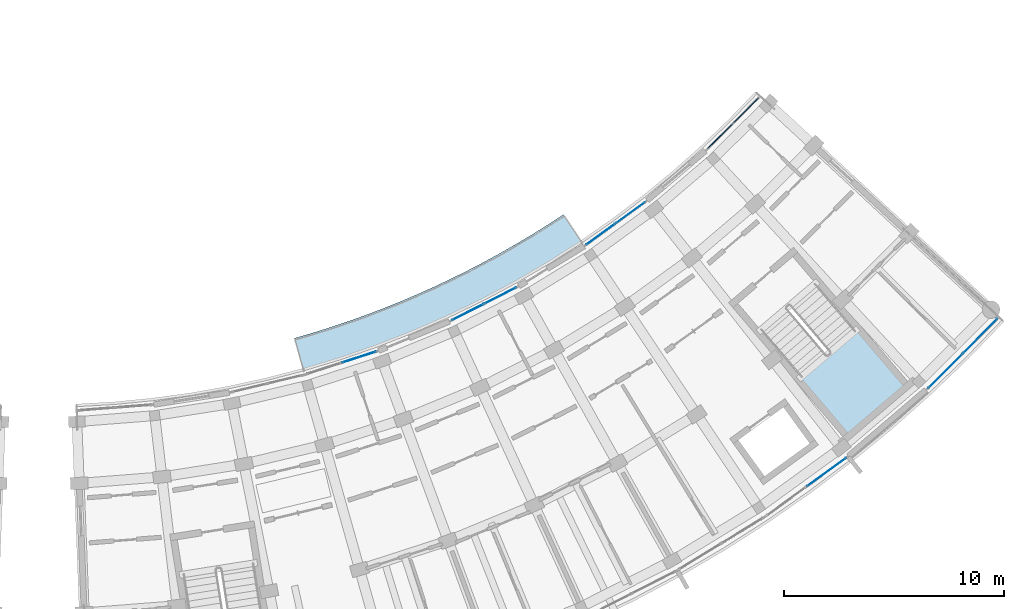
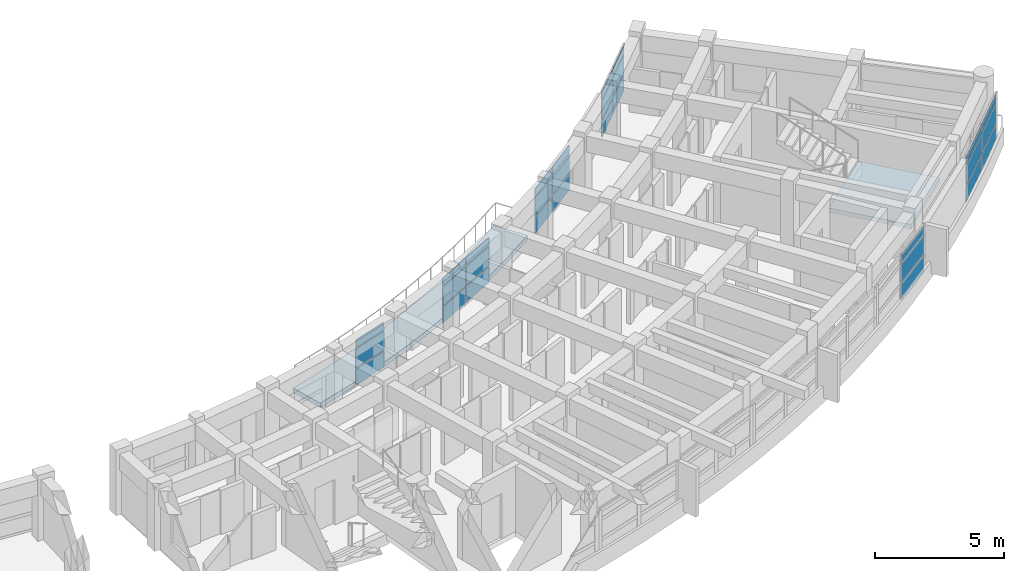
# One storey, part 26 of 56: 30 plates, 2 slabs, 7 elements without a shape of their own.
"""IFC4 building model written with IfcOpenShell, lengths in metres."""

import ifcopenshell
import ifcopenshell.guid

model = None  # the IFC model being written
_history = None  # IfcOwnerHistory: only IFC2X3 demands one
_inside = {}  # id of a spatial element -> (the spatial element, [elements in it])
_under = {}  # id of a project, library or spatial element -> (it, [spatial elements below it])
_declared = {}  # id of a project -> (the project, [libraries it declares])
_typed = {}  # id of a type object -> (the type object, [elements of that type])
_made_of = {}  # id of a material, layer set ... -> (it, [elements and type objects made of it])


def new_model(schema):
    """Start an empty IFC model of exactly this schema.

    Asked for "IFC4X3", IfcOpenShell would pick the latest addendum, in which some entities
    have other attributes; the version numbers below select the first issue.
    IFC2X3 requires an IfcOwnerHistory on every rooted entity: one is made here for all.
    """
    global model, _history
    if schema == "IFC4X3":
        model = ifcopenshell.file(schema_version=(4, 3, 0, 0))
    else:
        model = ifcopenshell.file(schema=schema)
    _inside.clear()
    _under.clear()
    _declared.clear()
    _typed.clear()
    _made_of.clear()
    _history = None
    if model.schema == "IFC2X3":
        org = make("IfcOrganization", Name="unknown")
        user = make(
            "IfcPersonAndOrganization",
            ThePerson=make("IfcPerson", FamilyName="unknown"),
            TheOrganization=org,
        )
        app = make(
            "IfcApplication",
            ApplicationDeveloper=org,
            Version="unknown",
            ApplicationFullName="unknown",
            ApplicationIdentifier="unknown",
        )
        _history = make(
            "IfcOwnerHistory",
            OwningUser=user,
            OwningApplication=app,
            ChangeAction="ADDED",
            CreationDate=0,
        )
    return model


def make(cls, **values):
    """One entity of the class cls with the attributes given. An attribute that is None is left unset."""
    return model.create_entity(
        cls, **{name: value for name, value in values.items() if value is not None}
    )


def rooted(cls, **values):
    """An entity with a GlobalId (a new one), such as an element, a storey or a relation."""
    return make(cls, GlobalId=ifcopenshell.guid.new(), OwnerHistory=_history, **values)


def si_unit(unit_type, name, prefix=None):
    """IfcSIUnit, for example si_unit("LENGTHUNIT", "METRE", prefix="MILLI")."""
    return make("IfcSIUnit", UnitType=unit_type, Prefix=prefix, Name=name)


def assignment(units):
    """IfcUnitAssignment: the units of a project."""
    return None if units is None else make("IfcUnitAssignment", Units=units)


def point(xyz):
    """IfcCartesianPoint."""
    return None if xyz is None else make("IfcCartesianPoint", Coordinates=xyz)


def direction(xyz):
    """IfcDirection."""
    return None if xyz is None else make("IfcDirection", DirectionRatios=xyz)


def frame(location, z_axis=None, x_axis=None):
    """IfcAxis2Placement3D, a coordinate frame: its origin and axes. An axis left out is left unset."""
    return make(
        "IfcAxis2Placement3D",
        Location=point(location),
        Axis=direction(z_axis),
        RefDirection=direction(x_axis),
    )


def frame_2d(location, x_axis=None):
    """IfcAxis2Placement2D, a coordinate frame in the plane: its origin and x axis."""
    return make(
        "IfcAxis2Placement2D", Location=point(location), RefDirection=direction(x_axis)
    )


def origin():
    """The frame at (0, 0, 0) with its axes left unset."""
    return frame((0.0, 0.0, 0.0))


def origin_2d():
    """The frame at (0, 0) in the plane with its x axis left unset."""
    return frame_2d((0.0, 0.0))


def place(relative_to, where):
    """IfcLocalPlacement: puts the frame where relative to a parent placement (None: the world)."""
    return make(
        "IfcLocalPlacement", PlacementRelTo=relative_to, RelativePlacement=where
    )


def context(
    kind, dimensions, precision=None, world=None, true_north=None, identifier=None
):
    """IfcGeometricRepresentationContext, for example the 3D "Model" context."""
    return make(
        "IfcGeometricRepresentationContext",
        ContextIdentifier=identifier,
        ContextType=kind,
        CoordinateSpaceDimension=dimensions,
        Precision=precision,
        WorldCoordinateSystem=world,
        TrueNorth=true_north,
    )


def subcontext(parent, identifier, kind, view, scale=None):
    """IfcGeometricRepresentationSubContext, for example "Body" below "Model"."""
    return make(
        "IfcGeometricRepresentationSubContext",
        ContextIdentifier=identifier,
        ContextType=kind,
        ParentContext=parent,
        TargetScale=scale,
        TargetView=view,
    )


def project(units=None, contexts=None):
    """IfcProject with its units and contexts."""
    return rooted(
        "IfcProject",
        Name="project",
        RepresentationContexts=contexts,
        UnitsInContext=assignment(units),
    )


def spatial(cls, under=None, at=None, **own):
    """A site, building, storey or space (cls), placed at a placement, below another one or the project."""
    s = rooted(cls, ObjectPlacement=at, **own)
    if under is not None:
        _under.setdefault(under.id(), (under, []))[1].append(s)
    return s


def polyline(points):
    """IfcPolyline through the points."""
    return make("IfcPolyline", Points=[point(p) for p in points])


def profile(cls, at=None, kind="AREA", **sizes):
    """A parametric profile (cls). Its sizes go by their IFC names, for example OverallWidth=200.0."""
    return make(cls, ProfileType=kind, Position=at, **sizes)


def rectangle(**sizes):
    """IfcRectangleProfileDef."""
    return profile("IfcRectangleProfileDef", **sizes)


def outline(outer, holes=None, kind="AREA"):
    """IfcArbitraryClosedProfileDef: a profile drawn as a closed curve; with holes, ...WithVoids."""
    if holes is None:
        return make("IfcArbitraryClosedProfileDef", ProfileType=kind, OuterCurve=outer)
    return make(
        "IfcArbitraryProfileDefWithVoids",
        ProfileType=kind,
        OuterCurve=outer,
        InnerCurves=holes,
    )


def extrude(swept, where, along, depth):
    """IfcExtrudedAreaSolid: the profile swept, set in the frame where, extruded along a direction by depth."""
    return make(
        "IfcExtrudedAreaSolid",
        SweptArea=swept,
        Position=where,
        ExtrudedDirection=direction(along),
        Depth=depth,
    )


def shape(context_of_items, identifier, shape_type, items):
    """IfcShapeRepresentation: the items that make up one representation, for example the "Body"."""
    return make(
        "IfcShapeRepresentation",
        ContextOfItems=context_of_items,
        RepresentationIdentifier=identifier,
        RepresentationType=shape_type,
        Items=items,
    )


def material(Name=None, Category=None):
    """IfcMaterial."""
    return make("IfcMaterial", Name=Name, Category=Category)


def layer(
    of_material, thickness, ventilated=None, Name=None, Category=None, Priority=None
):
    """IfcMaterialLayer: one layer of a wall or slab, of a material (None: an air gap)."""
    return make(
        "IfcMaterialLayer",
        Material=of_material,
        LayerThickness=thickness,
        IsVentilated=ventilated,
        Name=Name,
        Category=Category,
        Priority=Priority,
    )


def layer_set(layers, Name=None):
    """IfcMaterialLayerSet."""
    return make("IfcMaterialLayerSet", MaterialLayers=layers, LayerSetName=Name)


def made_of(thing, what):
    """Note that an element or type object is made of a material, layer set ...; save() writes the relation."""
    if what is not None:
        _made_of.setdefault(what.id(), (what, []))[1].append(thing)
    return thing


def type_object(cls, material=None, **own):
    """A type object (cls), such as IfcWallType, which elements share."""
    return made_of(rooted(cls, **own), material)


def element(
    cls,
    number,
    at=None,
    inside=None,
    cuts=None,
    type_object=None,
    material=None,
    context=None,
    identifier="Body",
    shape_type=None,
    held_by="IfcProductDefinitionShape",
    body=None,
    shapes=None,
    **own,
):
    """One element of the class cls, such as IfcWall. Its Tag is "e" and its number.

    at: its placement. inside: the storey or other place that contains it. cuts: it is an
    opening in that element (IfcRelVoidsElement). A single representation is given by context,
    identifier, shape_type and body (its items); several are given by shapes. held_by: the class
    of the entity that holds the representations. save() writes the other relations.
    """
    e = rooted(cls, Tag="e%d" % number, ObjectPlacement=at, **own)
    if body is not None:
        shapes = [shape(context, identifier, shape_type, body)]
    if shapes is not None:
        e.Representation = make(held_by, Representations=shapes)
    if inside is not None:
        _inside.setdefault(inside.id(), (inside, []))[1].append(e)
    if cuts is not None:
        rooted(
            "IfcRelVoidsElement", RelatingBuildingElement=cuts, RelatedOpeningElement=e
        )
    if type_object is not None:
        _typed.setdefault(type_object.id(), (type_object, []))[1].append(e)
    return made_of(e, material)


def aggregate(whole, parts):
    """IfcRelAggregates: a whole, such as a stair, and the parts it consists of."""
    return rooted("IfcRelAggregates", RelatingObject=whole, RelatedObjects=parts)


def save(model, path):
    """Write the relations noted so far, then the file.

    IfcRelAggregates (storeys below a building ...), IfcRelContainedInSpatialStructure (elements
    in a storey), IfcRelDefinesByType, IfcRelAssociatesMaterial and IfcRelDeclares: one each for
    every whole, place, type object, material and project.
    """
    for whole, parts in _under.values():
        aggregate(whole, parts)
    for where, things in _inside.values():
        rooted(
            "IfcRelContainedInSpatialStructure",
            RelatedElements=things,
            RelatingStructure=where,
        )
    for kind, things in _typed.values():
        rooted("IfcRelDefinesByType", RelatedObjects=things, RelatingType=kind)
    for what, things in _made_of.values():
        rooted("IfcRelAssociatesMaterial", RelatedObjects=things, RelatingMaterial=what)
    for by, libraries in _declared.values():
        rooted("IfcRelDeclares", RelatingContext=by, RelatedDefinitions=libraries)
    model.write(path)


model = new_model("IFC4")

# Units and contexts
model_context = context("Model", 3, precision=1e-05, world=origin(), true_north=direction((0.0, 1.0)))
body_context = subcontext(model_context, "Body", "Model", "MODEL_VIEW")
ifc_project = project(units=[si_unit("LENGTHUNIT", "METRE"), si_unit("AREAUNIT", "SQUARE_METRE"), si_unit("VOLUMEUNIT", "CUBIC_METRE"), si_unit("PLANEANGLEUNIT", "RADIAN"), si_unit("MASSUNIT", "GRAM", prefix="KILO")], contexts=[model_context])

# Site, building, storey
site_placement = place(None, origin())
site = spatial("IfcSite", under=ifc_project, at=site_placement, CompositionType="ELEMENT")
building_placement = place(site_placement, origin())
building = spatial("IfcBuilding", under=site, at=building_placement, Name="Zimvara Arc Housing Community", CompositionType="ELEMENT")
storey_placement = place(building_placement, frame((0.0, 0.0, 11.199951171875)))
storey = spatial("IfcBuildingStorey", under=building, at=storey_placement, Name="L03", CompositionType="ELEMENT", Elevation=11.199951171875)

# Curtain wall, plates
ifc_material_1 = material(Name="Anodised Aluminium AW-6063", Category="aluminium")
curtain_wall_type_1 = type_object("IfcCurtainWallType", Name="CW-SYS-08", PredefinedType="USERDEFINED", material=ifc_material_1)
curtain_wall_1_placement = place(storey_placement, origin())
curtain_wall_1 = element("IfcCurtainWall", 1, at=curtain_wall_1_placement, inside=storey, type_object=curtain_wall_type_1, Name="cw:blkD:L03:in:b3", ObjectType="CURTAIN WALL", PredefinedType="USERDEFINED")
ifc_material_2 = material(Name="Pale-Gold Anodised Aluminium Spandrel Panel", Category="aluminium")
ifc_layer_1 = layer(ifc_material_2, 0.035888671875)
ifc_layer_set_1 = layer_set([ifc_layer_1], Name="Pale-Gold Anodised Aluminium Spandrel Panel")
plate_type_1 = type_object("IfcPlateType", Name="CWP-GLD-36", PredefinedType="CURTAIN_PANEL", material=ifc_layer_set_1)
plate_1_placement = place(storey_placement, frame((140.510009765625, 67.7001953125, 0.065185546875), z_axis=(0.0, 0.0, 1.0), x_axis=(0.951326373008, 0.308185223559, 0.0)))
plate_1 = element("IfcPlate", 2, at=plate_1_placement, type_object=plate_type_1, Name="CW08 panel 2.1", PredefinedType="CURTAIN_PANEL", context=body_context, shape_type="SweptSolid", body=[
    extrude(rectangle(XDim=1.59423828125, YDim=0.035888671875, at=origin_2d()), origin(), (0.0, 0.0, 1.0), 0.75244140625),
])
plate_2_placement = place(storey_placement, frame((140.510009765625, 67.7001953125, 0.88232421875), z_axis=(0.0, 0.0, 1.0), x_axis=(0.951326373008, 0.308185223559, 0.0)))
plate_2 = element("IfcPlate", 3, at=plate_2_placement, type_object=plate_type_1, Name="CW08 panel 2.2", PredefinedType="CURTAIN_PANEL", context=body_context, shape_type="SweptSolid", body=[
    extrude(rectangle(XDim=1.59423828125, YDim=0.035888671875, at=origin_2d()), origin(), (0.0, 0.0, 1.0), 0.885009765625),
])
plate_3_placement = place(storey_placement, frame((140.510009765625, 67.7001953125, 1.83251953125), z_axis=(0.0, 0.0, 1.0), x_axis=(0.951326373008, 0.308185223559, 0.0)))
plate_3 = element("IfcPlate", 4, at=plate_3_placement, type_object=plate_type_1, Name="CW08 panel 2.3", PredefinedType="CURTAIN_PANEL", context=body_context, shape_type="SweptSolid", body=[
    extrude(rectangle(XDim=1.59423828125, YDim=0.035888671875, at=origin_2d()), origin(), (0.0, 0.0, 1.0), 0.3525390625),
])
aggregate(curtain_wall_1, [plate_1, plate_2, plate_3])

curtain_wall_2_placement = place(storey_placement, origin())
curtain_wall_2 = element("IfcCurtainWall", 5, at=curtain_wall_2_placement, inside=storey, type_object=curtain_wall_type_1, Name="cw:blkD:L03:in:b9", ObjectType="CURTAIN WALL", PredefinedType="USERDEFINED")
plate_4_placement = place(storey_placement, frame((156.89208984375, 77.719482421875, 0.065185546875), z_axis=(0.0, 0.0, 1.0), x_axis=(0.707722730729, 0.706490294632, 0.0)))
plate_4 = element("IfcPlate", 6, at=plate_4_placement, type_object=plate_type_1, Name="CW08 panel 1.1", PredefinedType="CURTAIN_PANEL", context=body_context, shape_type="SweptSolid", body=[
    extrude(rectangle(XDim=1.59423828125, YDim=0.035888671875, at=origin_2d()), origin(), (0.0, 0.0, 1.0), 0.75244140625),
])
plate_5_placement = place(storey_placement, frame((156.89208984375, 77.719482421875, 0.88232421875), z_axis=(0.0, 0.0, 1.0), x_axis=(0.707722730729, 0.706490294632, 0.0)))
plate_5 = element("IfcPlate", 7, at=plate_5_placement, type_object=plate_type_1, Name="CW08 panel 1.2", PredefinedType="CURTAIN_PANEL", context=body_context, shape_type="SweptSolid", body=[
    extrude(rectangle(XDim=1.59423828125, YDim=0.035888671875, at=origin_2d()), origin(), (0.0, 0.0, 1.0), 0.885009765625),
])
plate_6_placement = place(storey_placement, frame((156.89208984375, 77.719482421875, 1.83251953125), z_axis=(0.0, 0.0, 1.0), x_axis=(0.707722730729, 0.706490294632, 0.0)))
plate_6 = element("IfcPlate", 8, at=plate_6_placement, type_object=plate_type_1, Name="CW08 panel 1.3", PredefinedType="CURTAIN_PANEL", context=body_context, shape_type="SweptSolid", body=[
    extrude(rectangle(XDim=1.59423828125, YDim=0.035888671875, at=origin_2d()), origin(), (0.0, 0.0, 1.0), 0.3525390625),
])
plate_7_placement = place(storey_placement, frame((158.06640625, 78.891845703125, 0.065185546875), z_axis=(0.0, 0.0, 1.0), x_axis=(0.707722730729, 0.706490294632, 0.0)))
plate_7 = element("IfcPlate", 9, at=plate_7_placement, type_object=plate_type_1, Name="CW08 panel 2.1", PredefinedType="CURTAIN_PANEL", context=body_context, shape_type="SweptSolid", body=[
    extrude(rectangle(XDim=1.59423828125, YDim=0.035888671875, at=origin_2d()), origin(), (0.0, 0.0, 1.0), 0.75244140625),
])
plate_8_placement = place(storey_placement, frame((158.06640625, 78.891845703125, 0.88232421875), z_axis=(0.0, 0.0, 1.0), x_axis=(0.707722730729, 0.706490294632, 0.0)))
plate_8 = element("IfcPlate", 10, at=plate_8_placement, type_object=plate_type_1, Name="CW08 panel 2.2", PredefinedType="CURTAIN_PANEL", context=body_context, shape_type="SweptSolid", body=[
    extrude(rectangle(XDim=1.59423828125, YDim=0.035888671875, at=origin_2d()), origin(), (0.0, 0.0, 1.0), 0.885009765625),
])
plate_9_placement = place(storey_placement, frame((158.06640625, 78.891845703125, 1.83251953125), z_axis=(0.0, 0.0, 1.0), x_axis=(0.707722730729, 0.706490294632, 0.0)))
plate_9 = element("IfcPlate", 11, at=plate_9_placement, type_object=plate_type_1, Name="CW08 panel 2.3", PredefinedType="CURTAIN_PANEL", context=body_context, shape_type="SweptSolid", body=[
    extrude(rectangle(XDim=1.59423828125, YDim=0.035888671875, at=origin_2d()), origin(), (0.0, 0.0, 1.0), 0.3525390625),
])
aggregate(curtain_wall_2, [plate_4, plate_5, plate_6, plate_7, plate_8, plate_9])

ifc_material_3 = material(Name="Anodised Aluminium AW-6063", Category="aluminium")
curtain_wall_type_2 = type_object("IfcCurtainWallType", Name="CW-SYS-05", PredefinedType="USERDEFINED", material=ifc_material_3)
curtain_wall_3_placement = place(storey_placement, origin())
curtain_wall_3 = element("IfcCurtainWall", 12, at=curtain_wall_3_placement, inside=storey, type_object=curtain_wall_type_2, Name="cw:blkD:L03:out:b7", ObjectType="CURTAIN WALL", PredefinedType="USERDEFINED")
ifc_material_4 = material(Name="Solar Control Low-E Double Glazing", Category="glass")
ifc_layer_2 = layer(ifc_material_4, 0.02392578125)
ifc_layer_set_2 = layer_set([ifc_layer_2], Name="Solar Control Low-E Double Glazing")
plate_type_2 = type_object("IfcPlateType", Name="CWP-GLZ-24", PredefinedType="CURTAIN_PANEL", material=ifc_layer_set_2)
plate_10_placement = place(storey_placement, frame((161.719970703125, 62.484375, 0.065185546875), z_axis=(0.0, 0.0, 1.0), x_axis=(0.809530431263, 0.587077917196, 0.0)))
plate_10 = element("IfcPlate", 13, at=plate_10_placement, type_object=plate_type_2, Name="CW05 panel 2.1", PredefinedType="CURTAIN_PANEL", context=body_context, shape_type="SweptSolid", body=[
    extrude(rectangle(XDim=2.173828125, YDim=0.02392578125, at=origin_2d()), origin(), (0.0, 0.0, 1.0), 0.75244140625),
])
plate_11_placement = place(storey_placement, frame((161.719970703125, 62.484375, 0.88232421875), z_axis=(0.0, 0.0, 1.0), x_axis=(0.809530431263, 0.587077917196, 0.0)))
plate_11 = element("IfcPlate", 14, at=plate_11_placement, type_object=plate_type_2, Name="CW05 panel 2.2", PredefinedType="CURTAIN_PANEL", context=body_context, shape_type="SweptSolid", body=[
    extrude(rectangle(XDim=2.173828125, YDim=0.02392578125, at=origin_2d()), origin(), (0.0, 0.0, 1.0), 0.885009765625),
])
plate_12_placement = place(storey_placement, frame((161.719970703125, 62.484375, 1.83251953125), z_axis=(0.0, 0.0, 1.0), x_axis=(0.809530431263, 0.587077917196, 0.0)))
plate_12 = element("IfcPlate", 15, at=plate_12_placement, type_object=plate_type_2, Name="CW05 panel 2.3", PredefinedType="CURTAIN_PANEL", context=body_context, shape_type="SweptSolid", body=[
    extrude(rectangle(XDim=2.173828125, YDim=0.02392578125, at=origin_2d()), origin(), (0.0, 0.0, 1.0), 0.3525390625),
])
aggregate(curtain_wall_3, [plate_10, plate_11, plate_12])

ifc_material_5 = material(Name="Anodised Aluminium AW-6063", Category="aluminium")
curtain_wall_type_3 = type_object("IfcCurtainWallType", Name="CW-SYS-06", PredefinedType="USERDEFINED", material=ifc_material_5)
curtain_wall_4_placement = place(storey_placement, origin())
curtain_wall_4 = element("IfcCurtainWall", 16, at=curtain_wall_4_placement, inside=storey, type_object=curtain_wall_type_3, Name="cw:blkD:L03:in:b7", ObjectType="CURTAIN WALL", PredefinedType="USERDEFINED")
ifc_material_6 = material(Name="Solar Control Low-E Double Glazing", Category="glass")
ifc_layer_3 = layer(ifc_material_6, 0.028076171875)
ifc_layer_set_3 = layer_set([ifc_layer_3], Name="Solar Control Low-E Double Glazing")
plate_type_3 = type_object("IfcPlateType", Name="CWP-GLZ-28", PredefinedType="CURTAIN_PANEL", material=ifc_layer_set_3)
plate_13_placement = place(storey_placement, frame((151.483642578125, 73.279541015625, 0.065185546875), z_axis=(0.0, 0.0, 1.0), x_axis=(0.809529396709, 0.587079343755, 0.0)))
plate_13 = element("IfcPlate", 17, at=plate_13_placement, type_object=plate_type_3, Name="CW06 panel 1.1", PredefinedType="CURTAIN_PANEL", context=body_context, shape_type="SweptSolid", body=[
    extrude(rectangle(XDim=1.59423828125, YDim=0.028076171875, at=origin_2d()), origin(), (0.0, 0.0, 1.0), 0.75244140625),
])
plate_14_placement = place(storey_placement, frame((151.483642578125, 73.279541015625, 0.88232421875), z_axis=(0.0, 0.0, 1.0), x_axis=(0.809529396709, 0.587079343755, 0.0)))
plate_14 = element("IfcPlate", 18, at=plate_14_placement, type_object=plate_type_3, Name="CW06 panel 1.2", PredefinedType="CURTAIN_PANEL", context=body_context, shape_type="SweptSolid", body=[
    extrude(rectangle(XDim=1.59423828125, YDim=0.028076171875, at=origin_2d()), origin(), (0.0, 0.0, 1.0), 0.885009765625),
])
plate_15_placement = place(storey_placement, frame((151.483642578125, 73.279541015625, 1.83251953125), z_axis=(0.0, 0.0, 1.0), x_axis=(0.809529396709, 0.587079343755, 0.0)))
plate_15 = element("IfcPlate", 19, at=plate_15_placement, type_object=plate_type_3, Name="CW06 panel 1.3", PredefinedType="CURTAIN_PANEL", context=body_context, shape_type="SweptSolid", body=[
    extrude(rectangle(XDim=1.59423828125, YDim=0.028076171875, at=origin_2d()), origin(), (0.0, 0.0, 1.0), 0.3525390625),
])
plate_16_placement = place(storey_placement, frame((152.826904296875, 74.253662109375, 0.065185546875), z_axis=(0.0, 0.0, 1.0), x_axis=(0.809529396709, 0.587079343755, 0.0)))
plate_16 = element("IfcPlate", 20, at=plate_16_placement, type_object=plate_type_3, Name="CW06 panel 2.1", PredefinedType="CURTAIN_PANEL", context=body_context, shape_type="SweptSolid", body=[
    extrude(rectangle(XDim=1.59423828125, YDim=0.028076171875, at=origin_2d()), origin(), (0.0, 0.0, 1.0), 0.75244140625),
])
plate_17_placement = place(storey_placement, frame((152.826904296875, 74.253662109375, 0.88232421875), z_axis=(0.0, 0.0, 1.0), x_axis=(0.809529396709, 0.587079343755, 0.0)))
plate_17 = element("IfcPlate", 21, at=plate_17_placement, type_object=plate_type_3, Name="CW06 panel 2.2", PredefinedType="CURTAIN_PANEL", context=body_context, shape_type="SweptSolid", body=[
    extrude(rectangle(XDim=1.59423828125, YDim=0.028076171875, at=origin_2d()), origin(), (0.0, 0.0, 1.0), 0.885009765625),
])
plate_18_placement = place(storey_placement, frame((152.826904296875, 74.253662109375, 1.83251953125), z_axis=(0.0, 0.0, 1.0), x_axis=(0.809529396709, 0.587079343755, 0.0)))
plate_18 = element("IfcPlate", 22, at=plate_18_placement, type_object=plate_type_3, Name="CW06 panel 2.3", PredefinedType="CURTAIN_PANEL", context=body_context, shape_type="SweptSolid", body=[
    extrude(rectangle(XDim=1.59423828125, YDim=0.028076171875, at=origin_2d()), origin(), (0.0, 0.0, 1.0), 0.3525390625),
])
aggregate(curtain_wall_4, [plate_13, plate_14, plate_15, plate_16, plate_17, plate_18])

ifc_material_7 = material(Name="Anodised Aluminium AW-6063", Category="aluminium")
curtain_wall_type_4 = type_object("IfcCurtainWallType", Name="CW-SYS-03", PredefinedType="USERDEFINED", material=ifc_material_7)
curtain_wall_5_placement = place(storey_placement, origin())
curtain_wall_5 = element("IfcCurtainWall", 23, at=curtain_wall_5_placement, inside=storey, type_object=curtain_wall_type_4, Name="cw:blkD:L03:in:b5", ObjectType="CURTAIN WALL", PredefinedType="USERDEFINED")
ifc_material_8 = material(Name="Acoustic Laminated Solar Glazing", Category="glass")
ifc_layer_4 = layer(ifc_material_8, 0.031982421875)
ifc_layer_set_4 = layer_set([ifc_layer_4], Name="Acoustic Laminated Solar Glazing")
plate_type_4 = type_object("IfcPlateType", Name="CWP-GLZ-32", PredefinedType="CURTAIN_PANEL", material=ifc_layer_set_4)
plate_19_placement = place(storey_placement, frame((145.447265625, 69.740234375, 0.065185546875), z_axis=(0.0, 0.0, 1.0), x_axis=(0.89140306074, 0.453211411267, 0.0)))
plate_19 = element("IfcPlate", 24, at=plate_19_placement, type_object=plate_type_4, Name="CW03 panel 1.1", PredefinedType="CURTAIN_PANEL", context=body_context, shape_type="SweptSolid", body=[
    extrude(rectangle(XDim=1.59423828125, YDim=0.031982421875, at=origin_2d()), origin(), (0.0, 0.0, 1.0), 0.75244140625),
])
plate_20_placement = place(storey_placement, frame((145.447265625, 69.740234375, 0.88232421875), z_axis=(0.0, 0.0, 1.0), x_axis=(0.89140306074, 0.453211411267, 0.0)))
plate_20 = element("IfcPlate", 25, at=plate_20_placement, type_object=plate_type_4, Name="CW03 panel 1.2", PredefinedType="CURTAIN_PANEL", context=body_context, shape_type="SweptSolid", body=[
    extrude(rectangle(XDim=1.59423828125, YDim=0.031982421875, at=origin_2d()), origin(), (0.0, 0.0, 1.0), 0.885009765625),
])
plate_21_placement = place(storey_placement, frame((145.447265625, 69.740234375, 1.83251953125), z_axis=(0.0, 0.0, 1.0), x_axis=(0.89140306074, 0.453211411267, 0.0)))
plate_21 = element("IfcPlate", 26, at=plate_21_placement, type_object=plate_type_4, Name="CW03 panel 1.3", PredefinedType="CURTAIN_PANEL", context=body_context, shape_type="SweptSolid", body=[
    extrude(rectangle(XDim=1.59423828125, YDim=0.031982421875, at=origin_2d()), origin(), (0.0, 0.0, 1.0), 0.3525390625),
])
plate_22_placement = place(storey_placement, frame((146.92626953125, 70.4921875, 0.065185546875), z_axis=(0.0, 0.0, 1.0), x_axis=(0.89140306074, 0.453211411267, 0.0)))
plate_22 = element("IfcPlate", 27, at=plate_22_placement, type_object=plate_type_4, Name="CW03 panel 2.1", PredefinedType="CURTAIN_PANEL", context=body_context, shape_type="SweptSolid", body=[
    extrude(rectangle(XDim=1.59423828125, YDim=0.031982421875, at=origin_2d()), origin(), (0.0, 0.0, 1.0), 0.75244140625),
])
plate_23_placement = place(storey_placement, frame((146.92626953125, 70.4921875, 0.88232421875), z_axis=(0.0, 0.0, 1.0), x_axis=(0.89140306074, 0.453211411267, 0.0)))
plate_23 = element("IfcPlate", 28, at=plate_23_placement, type_object=plate_type_4, Name="CW03 panel 2.2", PredefinedType="CURTAIN_PANEL", context=body_context, shape_type="SweptSolid", body=[
    extrude(rectangle(XDim=1.59423828125, YDim=0.031982421875, at=origin_2d()), origin(), (0.0, 0.0, 1.0), 0.885009765625),
])
plate_24_placement = place(storey_placement, frame((146.92626953125, 70.4921875, 1.83251953125), z_axis=(0.0, 0.0, 1.0), x_axis=(0.89140306074, 0.453211411267, 0.0)))
plate_24 = element("IfcPlate", 29, at=plate_24_placement, type_object=plate_type_4, Name="CW03 panel 2.3", PredefinedType="CURTAIN_PANEL", context=body_context, shape_type="SweptSolid", body=[
    extrude(rectangle(XDim=1.59423828125, YDim=0.031982421875, at=origin_2d()), origin(), (0.0, 0.0, 1.0), 0.3525390625),
])
aggregate(curtain_wall_5, [plate_19, plate_20, plate_21, plate_22, plate_23, plate_24])

ifc_material_9 = material(Name="Anodised Aluminium AW-6063", Category="aluminium")
curtain_wall_type_5 = type_object("IfcCurtainWallType", Name="CW-SYS-07", PredefinedType="USERDEFINED", material=ifc_material_9)
curtain_wall_6_placement = place(storey_placement, origin())
curtain_wall_6 = element("IfcCurtainWall", 30, at=curtain_wall_6_placement, inside=storey, type_object=curtain_wall_type_5, Name="cw:blkD:L03:out:b9", ObjectType="CURTAIN WALL", PredefinedType="USERDEFINED")
plate_25_placement = place(storey_placement, frame((167.106689453125, 67.076904296875, 0.065185546875), z_axis=(0.0, 0.0, 1.0), x_axis=(0.707724012233, 0.706489010891, 0.0)))
plate_25 = element("IfcPlate", 31, at=plate_25_placement, type_object=plate_type_4, Name="CW07 panel 1.1", PredefinedType="CURTAIN_PANEL", context=body_context, shape_type="SweptSolid", body=[
    extrude(rectangle(XDim=2.173828125, YDim=0.031982421875, at=origin_2d()), origin(), (0.0, 0.0, 1.0), 0.75244140625),
])
plate_26_placement = place(storey_placement, frame((167.106689453125, 67.076904296875, 0.88232421875), z_axis=(0.0, 0.0, 1.0), x_axis=(0.707724012233, 0.706489010891, 0.0)))
plate_26 = element("IfcPlate", 32, at=plate_26_placement, type_object=plate_type_4, Name="CW07 panel 1.2", PredefinedType="CURTAIN_PANEL", context=body_context, shape_type="SweptSolid", body=[
    extrude(rectangle(XDim=2.173828125, YDim=0.031982421875, at=origin_2d()), origin(), (0.0, 0.0, 1.0), 0.885009765625),
])
plate_27_placement = place(storey_placement, frame((167.106689453125, 67.076904296875, 1.83251953125), z_axis=(0.0, 0.0, 1.0), x_axis=(0.707724012233, 0.706489010891, 0.0)))
plate_27 = element("IfcPlate", 33, at=plate_27_placement, type_object=plate_type_4, Name="CW07 panel 1.3", PredefinedType="CURTAIN_PANEL", context=body_context, shape_type="SweptSolid", body=[
    extrude(rectangle(XDim=2.173828125, YDim=0.031982421875, at=origin_2d()), origin(), (0.0, 0.0, 1.0), 0.3525390625),
])
plate_28_placement = place(storey_placement, frame((168.691162109375, 68.65869140625, 0.065185546875), z_axis=(0.0, 0.0, 1.0), x_axis=(0.707724012233, 0.706489010891, 0.0)))
plate_28 = element("IfcPlate", 34, at=plate_28_placement, type_object=plate_type_4, Name="CW07 panel 2.1", PredefinedType="CURTAIN_PANEL", context=body_context, shape_type="SweptSolid", body=[
    extrude(rectangle(XDim=2.173828125, YDim=0.031982421875, at=origin_2d()), origin(), (0.0, 0.0, 1.0), 0.75244140625),
])
plate_29_placement = place(storey_placement, frame((168.691162109375, 68.65869140625, 0.88232421875), z_axis=(0.0, 0.0, 1.0), x_axis=(0.707724012233, 0.706489010891, 0.0)))
plate_29 = element("IfcPlate", 35, at=plate_29_placement, type_object=plate_type_4, Name="CW07 panel 2.2", PredefinedType="CURTAIN_PANEL", context=body_context, shape_type="SweptSolid", body=[
    extrude(rectangle(XDim=2.173828125, YDim=0.031982421875, at=origin_2d()), origin(), (0.0, 0.0, 1.0), 0.885009765625),
])
plate_30_placement = place(storey_placement, frame((168.691162109375, 68.65869140625, 1.83251953125), z_axis=(0.0, 0.0, 1.0), x_axis=(0.707724012233, 0.706489010891, 0.0)))
plate_30 = element("IfcPlate", 36, at=plate_30_placement, type_object=plate_type_4, Name="CW07 panel 2.3", PredefinedType="CURTAIN_PANEL", context=body_context, shape_type="SweptSolid", body=[
    extrude(rectangle(XDim=2.173828125, YDim=0.031982421875, at=origin_2d()), origin(), (0.0, 0.0, 1.0), 0.3525390625),
])
aggregate(curtain_wall_6, [plate_25, plate_26, plate_27, plate_28, plate_29, plate_30])

# Stair, slab
ifc_material_10 = material(Name="Concrete C35/45", Category="concrete")
stair_type = type_object("IfcStairType", Name="STR-DL-312-310", PredefinedType="HALF_TURN_STAIR", material=ifc_material_10)
stair_placement = place(storey_placement, origin())
stair = element("IfcStair", 37, at=stair_placement, inside=storey, type_object=stair_type, Name="L03 Block D Exit Stair 2", PredefinedType="HALF_TURN_STAIR")
ifc_material_11 = material(Name="Concrete C35/45", Category="concrete")
ifc_layer_5 = layer(ifc_material_11, 0.199951171875)
ifc_layer_set_5 = layer_set([ifc_layer_5], Name="Concrete C35/45")
slab_type_1 = type_object("IfcSlabType", Name="SLB-STAIR-LND-200", PredefinedType="LANDING", material=ifc_layer_set_5)
slab_1_placement = place(storey_placement, frame((0.0, 0.0, 1.35009765625)))
slab_1 = element("IfcSlab", 38, at=slab_1_placement, type_object=slab_type_1, Name="ST-D2 landing 1", PredefinedType="LANDING", context=body_context, shape_type="SweptSolid", body=[
    extrude(outline(polyline([(160.49365234375, 66.788818359375), (162.681396484375, 64.22265625), (165.23828125, 66.402587890625), (163.050537109375, 68.96875), (160.49365234375, 66.788818359375)])), origin(), (0.0, 0.0, 1.0), 0.199951171875),
])
aggregate(stair, [slab_1])

# Slab
ifc_material_12 = material(Name="Concrete C35/45", Category="concrete")
ifc_layer_6 = layer(ifc_material_12, 0.2099609375)
ifc_layer_set_6 = layer_set([ifc_layer_6], Name="Concrete C35/45")
slab_type_2 = type_object("IfcSlabType", Name="SLB-TER-210", PredefinedType="FLOOR", material=ifc_layer_set_6)
slab_2_placement = place(storey_placement, frame((0.0, 0.0, -0.2099609375)))
element("IfcSlab", 39, at=slab_2_placement, inside=storey, type_object=slab_type_2, Name="slab:blkD:L03:bal_in", PredefinedType="FLOOR", context=body_context, shape_type="SweptSolid", body=[
    extrude(outline(polyline([(137.986572265625, 67.145263671875), (137.986572265625, 67.145263671875), (139.654296875, 67.649658203125), (141.30078125, 68.218994140625), (142.923828125, 68.852783203125), (144.520751953125, 69.549560546875), (146.089111328125, 70.30859375), (147.626220703125, 71.12841796875), (149.130126953125, 72.008056640625), (150.598388671875, 72.9462890625), (149.78271484375, 74.169189453125), (149.077392578125, 73.708740234375), (148.36328125, 73.26220703125), (147.640380859375, 72.829833984375), (146.9091796875, 72.41162109375), (146.169921875, 72.008056640625), (145.4228515625, 71.618896484375), (144.668212890625, 71.244384765625), (143.906494140625, 70.885009765625), (143.137939453125, 70.54052734375), (142.362548828125, 70.211181640625), (141.580810546875, 69.897216796875), (140.793212890625, 69.5986328125), (140.0, 69.315673828125), (139.201171875, 69.048095703125), (138.3974609375, 68.79638671875), (137.5888671875, 68.560546875), (137.986572265625, 67.145263671875)])), origin(), (0.0, 0.0, 1.0), 0.2099609375),
])

save(model, "model.ifc")
